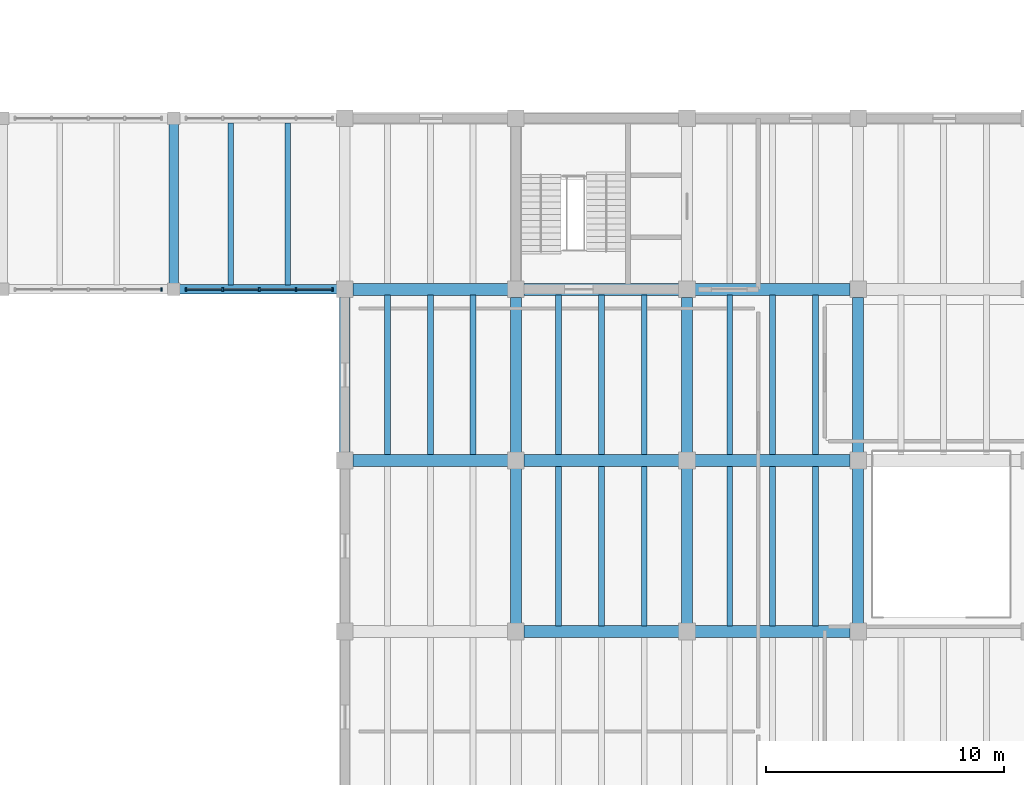
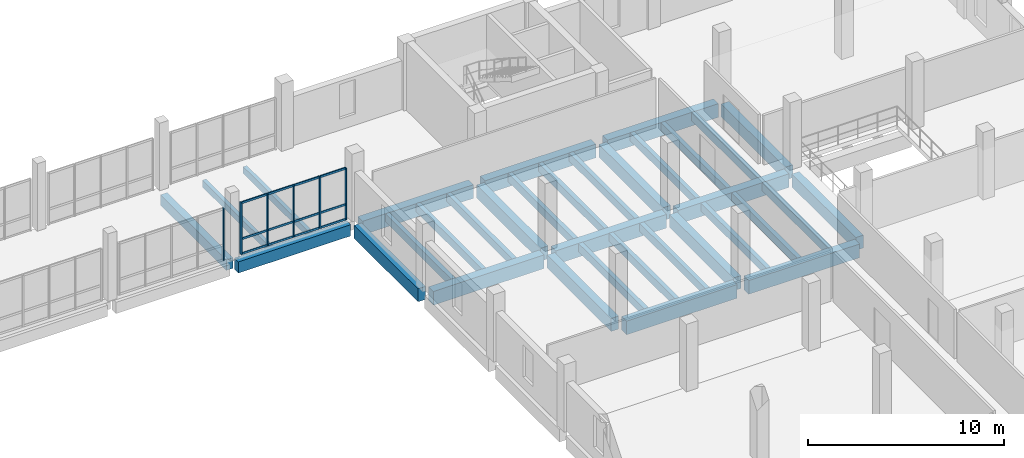
# One storey, part 40 of 72: 34 beams, 18 members, 2 elements without a shape of their own.
"""IFC4 building model written with IfcOpenShell, lengths in metres."""

from ifc_helpers import new_model, si_unit, direction, frame, origin, origin_2d, place, context, subcontext, project, spatial, rectangle, extrude, material, material_profile, profile_set, type_object, element, aggregate, save


model = new_model("IFC4")

# Units and contexts
model_context = context("Model", 3, precision=1e-05, world=origin(), true_north=direction((0.0, 1.0)))
body_context = subcontext(model_context, "Body", "Model", "MODEL_VIEW")
ifc_project = project(units=[si_unit("LENGTHUNIT", "METRE"), si_unit("AREAUNIT", "SQUARE_METRE"), si_unit("VOLUMEUNIT", "CUBIC_METRE"), si_unit("PLANEANGLEUNIT", "RADIAN"), si_unit("MASSUNIT", "GRAM", prefix="KILO")], contexts=[model_context])

# Site, building, storey
site_placement = place(None, origin())
site = spatial("IfcSite", under=ifc_project, at=site_placement, CompositionType="ELEMENT")
building_placement = place(site_placement, origin())
building = spatial("IfcBuilding", under=site, at=building_placement, Name="Qiaolan Assembly House", CompositionType="ELEMENT")
storey_placement = place(building_placement, frame((0.0, 0.0, 10.199951171875)))
storey = spatial("IfcBuildingStorey", under=building, at=storey_placement, Name="L02", CompositionType="ELEMENT", Elevation=10.199951171875)

# Beams
ifc_material_1 = material(Name="Concrete C40/50", Category="concrete")
ifc_material_profile_1 = material_profile(ifc_material_1, rectangle(XDim=0.39990234375, YDim=0.64990234375, at=origin_2d()), Name="RCB 400x650")
ifc_profile_set_1 = profile_set([ifc_material_profile_1], Name="Concrete C40/50")
beam_type_1 = type_object("IfcBeamType", Name="BM-RC-400x650", PredefinedType="BEAM", material=ifc_profile_set_1)
beam_1_placement = place(storey_placement, frame((129.60009765625, 79.449951171875, -0.594970703125), z_axis=(0.0, 1.0, 0.0), x_axis=(-1.0, 0.0, 0.0)))
element("IfcBeam", 1, at=beam_1_placement, inside=storey, type_object=beam_type_1, Name="GB-06 beam BMY-CLN-L02-03-00", PredefinedType="BEAM", context=body_context, shape_type="SweptSolid", body=[
    extrude(rectangle(XDim=0.39990234375, YDim=0.64990234375, at=origin_2d()), origin(), (0.0, 0.0, 1.0), 6.699951171875),
])
ifc_material_profile_2 = material_profile(ifc_material_1, rectangle(XDim=0.39990234375, YDim=0.699951171875, at=origin_2d()), Name="RCB 400x700")
ifc_profile_set_2 = profile_set([ifc_material_profile_2], Name="Concrete C40/50")
beam_type_2 = type_object("IfcBeamType", Name="BM-RC-400x700", PredefinedType="BEAM", material=ifc_profile_set_2)
beam_2_placement = place(storey_placement, frame((129.85009765625, 79.199951171875, -0.619873046875), z_axis=(1.0, 0.0, 0.0), x_axis=(0.0, 1.0, 0.0)))
element("IfcBeam", 2, at=beam_2_placement, inside=storey, type_object=beam_type_2, Name="GB-05 beam BMX-CLN-L02-03-00", PredefinedType="BEAM", context=body_context, shape_type="SweptSolid", body=[
    extrude(rectangle(XDim=0.39990234375, YDim=0.699951171875, at=origin_2d()), origin(), (0.0, 0.0, 1.0), 6.60986328125),
])
ifc_material_profile_3 = material_profile(ifc_material_1, rectangle(XDim=0.449951171875, YDim=0.800048828125, at=origin_2d()), Name="RCB 450x800")
ifc_profile_set_3 = profile_set([ifc_material_profile_3], Name="Concrete C40/50")
beam_type_3 = type_object("IfcBeamType", Name="BM-RC-450x800", PredefinedType="BEAM", material=ifc_profile_set_3)
for number, where, z_axis, x_axis, name in (
    (3, (136.800048828125, 72.340087890625, -0.669921875), (0.0, 1.0, 0.0), (-1.0, 0.0, 0.0), "GB-03 beam BMY-LB-L02-00-06"),
    (4, (144.0, 65.139892578125, -0.669921875), (0.0, 1.0, 0.0), (-1.0, 0.0, 0.0), "GB-03 beam BMY-LB-L02-01-05"),
    (5, (144.0, 72.340087890625, -0.669921875), (0.0, 1.0, 0.0), (-1.0, 0.0, 0.0), "GB-03 beam BMY-LB-L02-01-06"),
    (6, (151.199951171875, 65.139892578125, -0.669921875), (0.0, 1.0, 0.0), (-1.0, 0.0, 0.0), "GB-03 beam BMY-LB-L02-02-05"),
    (7, (151.199951171875, 72.340087890625, -0.669921875), (0.0, 1.0, 0.0), (-1.0, 0.0, 0.0), "GB-03 beam BMY-LB-L02-02-06"),
    (8, (158.39990234375, 65.139892578125, -0.669921875), (0.0, 1.0, 0.0), (-1.0, 0.0, 0.0), "GB-03 beam BMY-LB-L02-03-05"),
    (9, (158.39990234375, 72.340087890625, -0.669921875), (0.0, 1.0, 0.0), (-1.0, 0.0, 0.0), "GB-03 beam BMY-LB-L02-03-06"),
):
    element("IfcBeam", number, at=place(storey_placement, frame(where, z_axis=z_axis, x_axis=x_axis)), inside=storey, type_object=beam_type_3, Name=name, PredefinedType="BEAM", context=body_context, shape_type="SweptSolid", body=[
        extrude(rectangle(XDim=0.449951171875, YDim=0.800048828125, at=origin_2d()), origin(), (0.0, 0.0, 1.0), 6.52001953125),
    ])
ifc_material_2 = material(Name="Concrete C45/55", Category="concrete")
ifc_material_profile_4 = material_profile(ifc_material_2, rectangle(XDim=0.5, YDim=0.85009765625, at=origin_2d()), Name="RCB 500x850")
ifc_profile_set_4 = profile_set([ifc_material_profile_4], Name="Concrete C45/55")
beam_type_4 = type_object("IfcBeamType", Name="BM-RC-500x850", PredefinedType="BEAM", material=ifc_profile_set_4)
for number, where, z_axis, x_axis, name in (
    (10, (144.340087890625, 64.800048828125, -0.695068359375), (1.0, 0.0, 0.0), (0.0, 1.0, 0.0), "GB-02 beam BMX-LB-L02-01-05"),
    (11, (151.5400390625, 64.800048828125, -0.695068359375), (1.0, 0.0, 0.0), (0.0, 1.0, 0.0), "GB-02 beam BMX-LB-L02-02-05"),
    (12, (137.139892578125, 72.0, -0.695068359375), (1.0, 0.0, 0.0), (0.0, 1.0, 0.0), "GB-02 beam BMX-LB-L02-00-06"),
    (13, (144.340087890625, 72.0, -0.695068359375), (1.0, 0.0, 0.0), (0.0, 1.0, 0.0), "GB-02 beam BMX-LB-L02-01-06"),
    (14, (151.5400390625, 72.0, -0.695068359375), (1.0, 0.0, 0.0), (0.0, 1.0, 0.0), "GB-02 beam BMX-LB-L02-02-06"),
    (15, (137.139892578125, 79.199951171875, -0.695068359375), (1.0, 0.0, 0.0), (0.0, 1.0, 0.0), "GB-02 beam BMX-LB-L02-00-07"),
    (16, (144.340087890625, 79.199951171875, -0.695068359375), (1.0, 0.0, 0.0), (0.0, 1.0, 0.0), "GB-02 beam BMX-LB-L02-01-07"),
    (17, (151.5400390625, 79.199951171875, -0.695068359375), (1.0, 0.0, 0.0), (0.0, 1.0, 0.0), "GB-02 beam BMX-LB-L02-02-07"),
):
    element("IfcBeam", number, at=place(storey_placement, frame(where, z_axis=z_axis, x_axis=x_axis)), inside=storey, type_object=beam_type_4, Name=name, PredefinedType="BEAM", context=body_context, shape_type="SweptSolid", body=[
        extrude(rectangle(XDim=0.5, YDim=0.85009765625, at=origin_2d()), origin(), (0.0, 0.0, 1.0), 6.52001953125),
    ])

# Curtain wall, member
ifc_material_3 = material(Name="Anodised bronze aluminium", Category="aluminium")
curtain_wall_type = type_object("IfcCurtainWallType", Name="CW-CLOISTER-420", PredefinedType="NOTDEFINED", material=ifc_material_3)
curtain_wall_1_placement = place(storey_placement, origin())
curtain_wall_1 = element("IfcCurtainWall", 18, at=curtain_wall_1_placement, inside=storey, type_object=curtain_wall_type, Name="CW-05 North Cloister court arcade L02-3", PredefinedType="NOTDEFINED")
ifc_material_profile_5 = material_profile(ifc_material_3, rectangle(XDim=0.070068359375, YDim=0.155029296875, at=origin_2d()), Name="MUL 70x155")
ifc_profile_set_5 = profile_set([ifc_material_profile_5], Name="Anodised bronze aluminium")
member_type_1 = type_object("IfcMemberType", Name="CW-CLOISTER-420-MUL", PredefinedType="MULLION", material=ifc_profile_set_5)
member_1_placement = place(storey_placement, frame((129.080078125, 79.199951171875, 0.0), z_axis=(0.0, 0.0, 1.0), x_axis=(1.0, 0.0, 0.0)))
member_1 = element("IfcMember", 19, at=member_1_placement, type_object=member_type_1, Name="ML-06 mullion CW-CLN-CRT-L02-2-5", PredefinedType="MULLION", context=body_context, shape_type="SweptSolid", body=[
    extrude(rectangle(XDim=0.070068359375, YDim=0.155029296875, at=origin_2d()), origin(), (0.0, 0.0, 1.0), 3.219970703125),
])
aggregate(curtain_wall_1, [member_1])

# Curtain wall, members
curtain_wall_2_placement = place(storey_placement, origin())
curtain_wall_2 = element("IfcCurtainWall", 20, at=curtain_wall_2_placement, inside=storey, type_object=curtain_wall_type, Name="CW-05 North Cloister court arcade L02-4", PredefinedType="NOTDEFINED")
member_2_placement = place(storey_placement, frame((130.1201171875, 79.199951171875, 0.0), z_axis=(0.0, 0.0, 1.0), x_axis=(1.0, 0.0, 0.0)))
member_2 = element("IfcMember", 21, at=member_2_placement, type_object=member_type_1, Name="ML-06 mullion CW-CLN-CRT-L02-3-1", PredefinedType="MULLION", context=body_context, shape_type="SweptSolid", body=[
    extrude(rectangle(XDim=0.070068359375, YDim=0.155029296875, at=origin_2d()), origin(), (0.0, 0.0, 1.0), 3.219970703125),
])
member_3_placement = place(storey_placement, frame((131.659912109375, 79.199951171875, 0.0), z_axis=(0.0, 0.0, 1.0), x_axis=(1.0, 0.0, 0.0)))
member_3 = element("IfcMember", 22, at=member_3_placement, type_object=member_type_1, Name="ML-06 mullion CW-CLN-CRT-L02-3-2", PredefinedType="MULLION", context=body_context, shape_type="SweptSolid", body=[
    extrude(rectangle(XDim=0.070068359375, YDim=0.155029296875, at=origin_2d()), origin(), (0.0, 0.0, 1.0), 3.219970703125),
])
member_4_placement = place(storey_placement, frame((133.199951171875, 79.199951171875, 0.0), z_axis=(0.0, 0.0, 1.0), x_axis=(1.0, 0.0, 0.0)))
member_4 = element("IfcMember", 23, at=member_4_placement, type_object=member_type_1, Name="ML-06 mullion CW-CLN-CRT-L02-3-3", PredefinedType="MULLION", context=body_context, shape_type="SweptSolid", body=[
    extrude(rectangle(XDim=0.070068359375, YDim=0.155029296875, at=origin_2d()), origin(), (0.0, 0.0, 1.0), 3.219970703125),
])
member_5_placement = place(storey_placement, frame((134.739990234375, 79.199951171875, 0.0), z_axis=(0.0, 0.0, 1.0), x_axis=(1.0, 0.0, 0.0)))
member_5 = element("IfcMember", 24, at=member_5_placement, type_object=member_type_1, Name="ML-06 mullion CW-CLN-CRT-L02-3-4", PredefinedType="MULLION", context=body_context, shape_type="SweptSolid", body=[
    extrude(rectangle(XDim=0.070068359375, YDim=0.155029296875, at=origin_2d()), origin(), (0.0, 0.0, 1.0), 3.219970703125),
])
member_6_placement = place(storey_placement, frame((136.280029296875, 79.199951171875, 0.0), z_axis=(0.0, 0.0, 1.0), x_axis=(1.0, 0.0, 0.0)))
member_6 = element("IfcMember", 25, at=member_6_placement, type_object=member_type_1, Name="ML-06 mullion CW-CLN-CRT-L02-3-5", PredefinedType="MULLION", context=body_context, shape_type="SweptSolid", body=[
    extrude(rectangle(XDim=0.070068359375, YDim=0.155029296875, at=origin_2d()), origin(), (0.0, 0.0, 1.0), 3.219970703125),
])
ifc_material_profile_6 = material_profile(ifc_material_3, rectangle(XDim=0.06201171875, YDim=0.125, at=origin_2d()), Name="TRN 62x125")
ifc_profile_set_6 = profile_set([ifc_material_profile_6], Name="Anodised bronze aluminium")
member_type_2 = type_object("IfcMemberType", Name="CW-CLOISTER-420-TRN", PredefinedType="USERDEFINED", material=ifc_profile_set_6)
member_7_placement = place(storey_placement, frame((130.155029296875, 79.199951171875, 0.030029296875), z_axis=(1.0, 0.0, 0.0), x_axis=(0.0, 1.0, 0.0)))
member_7 = element("IfcMember", 26, at=member_7_placement, type_object=member_type_2, Name="TR-06 transom CW-CLN-CRT-L02-3-1-1", ObjectType="TRANSOM", PredefinedType="USERDEFINED", context=body_context, shape_type="SweptSolid", body=[
    extrude(rectangle(XDim=0.06201171875, YDim=0.125, at=origin_2d()), origin(), (0.0, 0.0, 1.0), 1.469970703125),
])
member_8_placement = place(storey_placement, frame((130.155029296875, 79.199951171875, 0.949951171875), z_axis=(1.0, 0.0, 0.0), x_axis=(0.0, 1.0, 0.0)))
member_8 = element("IfcMember", 27, at=member_8_placement, type_object=member_type_2, Name="TR-06 transom CW-CLN-CRT-L02-3-1-2", ObjectType="TRANSOM", PredefinedType="USERDEFINED", context=body_context, shape_type="SweptSolid", body=[
    extrude(rectangle(XDim=0.06201171875, YDim=0.125, at=origin_2d()), origin(), (0.0, 0.0, 1.0), 1.469970703125),
])
member_9_placement = place(storey_placement, frame((130.155029296875, 79.199951171875, 3.18994140625), z_axis=(1.0, 0.0, 0.0), x_axis=(0.0, 1.0, 0.0)))
member_9 = element("IfcMember", 28, at=member_9_placement, type_object=member_type_2, Name="TR-06 transom CW-CLN-CRT-L02-3-1-3", ObjectType="TRANSOM", PredefinedType="USERDEFINED", context=body_context, shape_type="SweptSolid", body=[
    extrude(rectangle(XDim=0.06201171875, YDim=0.125, at=origin_2d()), origin(), (0.0, 0.0, 1.0), 1.469970703125),
])
member_10_placement = place(storey_placement, frame((131.695068359375, 79.199951171875, 0.030029296875), z_axis=(1.0, 0.0, 0.0), x_axis=(0.0, 1.0, 0.0)))
member_10 = element("IfcMember", 29, at=member_10_placement, type_object=member_type_2, Name="TR-06 transom CW-CLN-CRT-L02-3-2-1", ObjectType="TRANSOM", PredefinedType="USERDEFINED", context=body_context, shape_type="SweptSolid", body=[
    extrude(rectangle(XDim=0.06201171875, YDim=0.125, at=origin_2d()), origin(), (0.0, 0.0, 1.0), 1.469970703125),
])
member_11_placement = place(storey_placement, frame((131.695068359375, 79.199951171875, 0.949951171875), z_axis=(1.0, 0.0, 0.0), x_axis=(0.0, 1.0, 0.0)))
member_11 = element("IfcMember", 30, at=member_11_placement, type_object=member_type_2, Name="TR-06 transom CW-CLN-CRT-L02-3-2-2", ObjectType="TRANSOM", PredefinedType="USERDEFINED", context=body_context, shape_type="SweptSolid", body=[
    extrude(rectangle(XDim=0.06201171875, YDim=0.125, at=origin_2d()), origin(), (0.0, 0.0, 1.0), 1.469970703125),
])
member_12_placement = place(storey_placement, frame((131.695068359375, 79.199951171875, 3.18994140625), z_axis=(1.0, 0.0, 0.0), x_axis=(0.0, 1.0, 0.0)))
member_12 = element("IfcMember", 31, at=member_12_placement, type_object=member_type_2, Name="TR-06 transom CW-CLN-CRT-L02-3-2-3", ObjectType="TRANSOM", PredefinedType="USERDEFINED", context=body_context, shape_type="SweptSolid", body=[
    extrude(rectangle(XDim=0.06201171875, YDim=0.125, at=origin_2d()), origin(), (0.0, 0.0, 1.0), 1.469970703125),
])
member_13_placement = place(storey_placement, frame((133.235107421875, 79.199951171875, 0.030029296875), z_axis=(1.0, 0.0, 0.0), x_axis=(0.0, 1.0, 0.0)))
member_13 = element("IfcMember", 32, at=member_13_placement, type_object=member_type_2, Name="TR-06 transom CW-CLN-CRT-L02-3-3-1", ObjectType="TRANSOM", PredefinedType="USERDEFINED", context=body_context, shape_type="SweptSolid", body=[
    extrude(rectangle(XDim=0.06201171875, YDim=0.125, at=origin_2d()), origin(), (0.0, 0.0, 1.0), 1.469970703125),
])
member_14_placement = place(storey_placement, frame((133.235107421875, 79.199951171875, 0.949951171875), z_axis=(1.0, 0.0, 0.0), x_axis=(0.0, 1.0, 0.0)))
member_14 = element("IfcMember", 33, at=member_14_placement, type_object=member_type_2, Name="TR-06 transom CW-CLN-CRT-L02-3-3-2", ObjectType="TRANSOM", PredefinedType="USERDEFINED", context=body_context, shape_type="SweptSolid", body=[
    extrude(rectangle(XDim=0.06201171875, YDim=0.125, at=origin_2d()), origin(), (0.0, 0.0, 1.0), 1.469970703125),
])
member_15_placement = place(storey_placement, frame((133.235107421875, 79.199951171875, 3.18994140625), z_axis=(1.0, 0.0, 0.0), x_axis=(0.0, 1.0, 0.0)))
member_15 = element("IfcMember", 34, at=member_15_placement, type_object=member_type_2, Name="TR-06 transom CW-CLN-CRT-L02-3-3-3", ObjectType="TRANSOM", PredefinedType="USERDEFINED", context=body_context, shape_type="SweptSolid", body=[
    extrude(rectangle(XDim=0.06201171875, YDim=0.125, at=origin_2d()), origin(), (0.0, 0.0, 1.0), 1.469970703125),
])
member_16_placement = place(storey_placement, frame((134.77490234375, 79.199951171875, 0.030029296875), z_axis=(1.0, 0.0, 0.0), x_axis=(0.0, 1.0, 0.0)))
member_16 = element("IfcMember", 35, at=member_16_placement, type_object=member_type_2, Name="TR-06 transom CW-CLN-CRT-L02-3-4-1", ObjectType="TRANSOM", PredefinedType="USERDEFINED", context=body_context, shape_type="SweptSolid", body=[
    extrude(rectangle(XDim=0.06201171875, YDim=0.125, at=origin_2d()), origin(), (0.0, 0.0, 1.0), 1.47021484375),
])
member_17_placement = place(storey_placement, frame((134.77490234375, 79.199951171875, 0.949951171875), z_axis=(1.0, 0.0, 0.0), x_axis=(0.0, 1.0, 0.0)))
member_17 = element("IfcMember", 36, at=member_17_placement, type_object=member_type_2, Name="TR-06 transom CW-CLN-CRT-L02-3-4-2", ObjectType="TRANSOM", PredefinedType="USERDEFINED", context=body_context, shape_type="SweptSolid", body=[
    extrude(rectangle(XDim=0.06201171875, YDim=0.125, at=origin_2d()), origin(), (0.0, 0.0, 1.0), 1.47021484375),
])
member_18_placement = place(storey_placement, frame((134.77490234375, 79.199951171875, 3.18994140625), z_axis=(1.0, 0.0, 0.0), x_axis=(0.0, 1.0, 0.0)))
member_18 = element("IfcMember", 37, at=member_18_placement, type_object=member_type_2, Name="TR-06 transom CW-CLN-CRT-L02-3-4-3", ObjectType="TRANSOM", PredefinedType="USERDEFINED", context=body_context, shape_type="SweptSolid", body=[
    extrude(rectangle(XDim=0.06201171875, YDim=0.125, at=origin_2d()), origin(), (0.0, 0.0, 1.0), 1.47021484375),
])
aggregate(curtain_wall_2, [member_2, member_3, member_4, member_5, member_6, member_7, member_8, member_9, member_10, member_11, member_12, member_13, member_14, member_15, member_16, member_17, member_18])

# Beams
ifc_material_profile_7 = material_profile(ifc_material_1, rectangle(XDim=0.219970703125, YDim=0.419921875, at=origin_2d()), Name="RCB 220x420")
ifc_profile_set_7 = profile_set([ifc_material_profile_7], Name="Concrete C40/50")
beam_type_5 = type_object("IfcBeamType", Name="JST-RC-220x420", PredefinedType="JOIST", material=ifc_profile_set_7)
for number, where, z_axis, x_axis, name in (
    (38, (132.0, 79.39404296875, -0.47998046875), (0.0, 1.0, 0.0), (-1.0, 0.0, 0.0), "RJ-03 beam JST-CLN-L02-03-00-1"),
    (39, (134.39990234375, 79.39404296875, -0.47998046875), (0.0, 1.0, 0.0), (-1.0, 0.0, 0.0), "RJ-03 beam JST-CLN-L02-03-00-2"),
):
    element("IfcBeam", number, at=place(storey_placement, frame(where, z_axis=z_axis, x_axis=x_axis)), inside=storey, type_object=beam_type_5, Name=name, PredefinedType="JOIST", context=body_context, shape_type="SweptSolid", body=[
        extrude(rectangle(XDim=0.219970703125, YDim=0.419921875, at=origin_2d()), origin(), (0.0, 0.0, 1.0), 6.81201171875),
    ])
ifc_material_profile_8 = material_profile(ifc_material_1, rectangle(XDim=0.25, YDim=0.5, at=origin_2d()), Name="RCB 250x500")
ifc_profile_set_8 = profile_set([ifc_material_profile_8], Name="Concrete C40/50")
beam_type_6 = type_object("IfcBeamType", Name="JST-RC-250x500", PredefinedType="JOIST", material=ifc_profile_set_8)
for number, where, z_axis, x_axis, name in (
    (40, (138.60009765625, 72.243896484375, -0.52001953125), (0.0, 1.0, 0.0), (-1.0, 0.0, 0.0), "RJ-01 beam JST-LB-L02-00-06-1"),
    (41, (140.39990234375, 72.243896484375, -0.52001953125), (0.0, 1.0, 0.0), (-1.0, 0.0, 0.0), "RJ-01 beam JST-LB-L02-00-06-2"),
    (42, (142.199951171875, 72.243896484375, -0.52001953125), (0.0, 1.0, 0.0), (-1.0, 0.0, 0.0), "RJ-01 beam JST-LB-L02-00-06-3"),
    (43, (145.800048828125, 65.0439453125, -0.52001953125), (0.0, 1.0, 0.0), (-1.0, 0.0, 0.0), "RJ-01 beam JST-LB-L02-01-05-1"),
    (44, (147.60009765625, 65.0439453125, -0.52001953125), (0.0, 1.0, 0.0), (-1.0, 0.0, 0.0), "RJ-01 beam JST-LB-L02-01-05-2"),
    (45, (149.39990234375, 65.0439453125, -0.52001953125), (0.0, 1.0, 0.0), (-1.0, 0.0, 0.0), "RJ-01 beam JST-LB-L02-01-05-3"),
    (46, (145.800048828125, 72.243896484375, -0.52001953125), (0.0, 1.0, 0.0), (-1.0, 0.0, 0.0), "RJ-01 beam JST-LB-L02-01-06-1"),
    (47, (147.60009765625, 72.243896484375, -0.52001953125), (0.0, 1.0, 0.0), (-1.0, 0.0, 0.0), "RJ-01 beam JST-LB-L02-01-06-2"),
    (48, (149.39990234375, 72.243896484375, -0.52001953125), (0.0, 1.0, 0.0), (-1.0, 0.0, 0.0), "RJ-01 beam JST-LB-L02-01-06-3"),
    (49, (153.0, 65.0439453125, -0.52001953125), (0.0, 1.0, 0.0), (-1.0, 0.0, 0.0), "RJ-01 beam JST-LB-L02-02-05-1"),
    (50, (154.800048828125, 65.0439453125, -0.52001953125), (0.0, 1.0, 0.0), (-1.0, 0.0, 0.0), "RJ-01 beam JST-LB-L02-02-05-2"),
    (51, (156.60009765625, 65.0439453125, -0.52001953125), (0.0, 1.0, 0.0), (-1.0, 0.0, 0.0), "RJ-01 beam JST-LB-L02-02-05-3"),
    (52, (153.0, 72.243896484375, -0.52001953125), (0.0, 1.0, 0.0), (-1.0, 0.0, 0.0), "RJ-01 beam JST-LB-L02-02-06-1"),
    (53, (154.800048828125, 72.243896484375, -0.52001953125), (0.0, 1.0, 0.0), (-1.0, 0.0, 0.0), "RJ-01 beam JST-LB-L02-02-06-2"),
    (54, (156.60009765625, 72.243896484375, -0.52001953125), (0.0, 1.0, 0.0), (-1.0, 0.0, 0.0), "RJ-01 beam JST-LB-L02-02-06-3"),
):
    element("IfcBeam", number, at=place(storey_placement, frame(where, z_axis=z_axis, x_axis=x_axis)), inside=storey, type_object=beam_type_6, Name=name, PredefinedType="JOIST", context=body_context, shape_type="SweptSolid", body=[
        extrude(rectangle(XDim=0.25, YDim=0.5, at=origin_2d()), origin(), (0.0, 0.0, 1.0), 6.712158203125),
    ])

save(model, "model.ifc")
